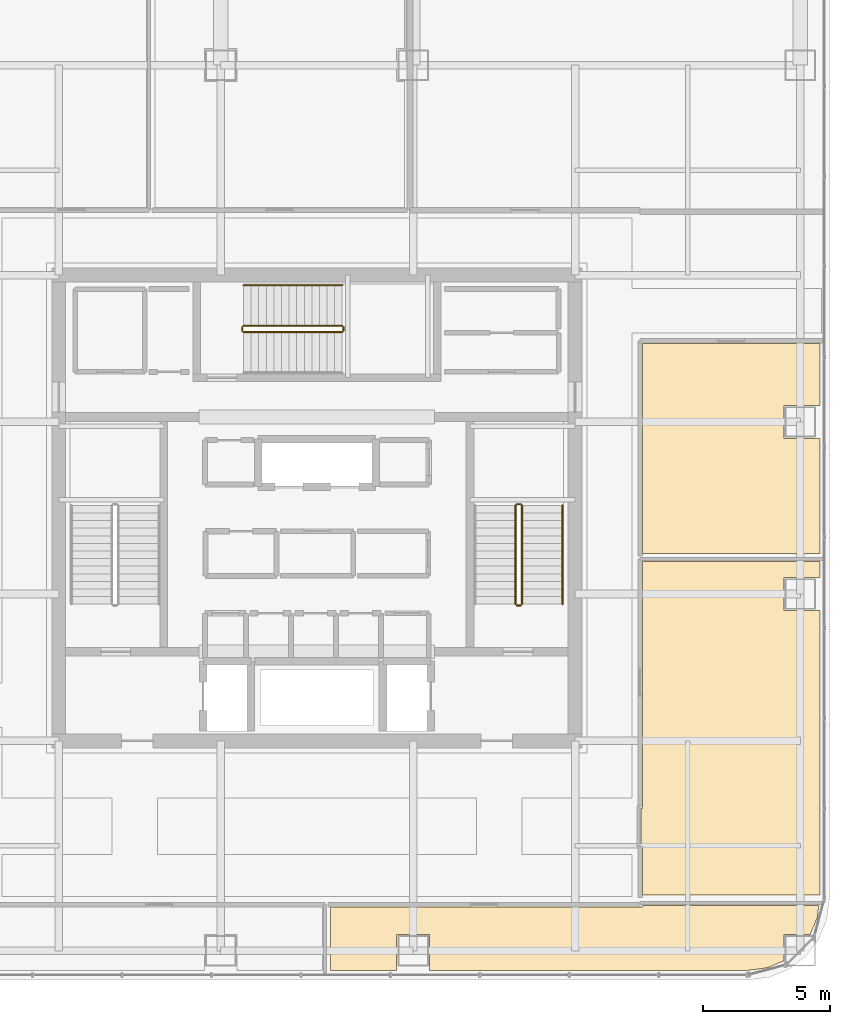
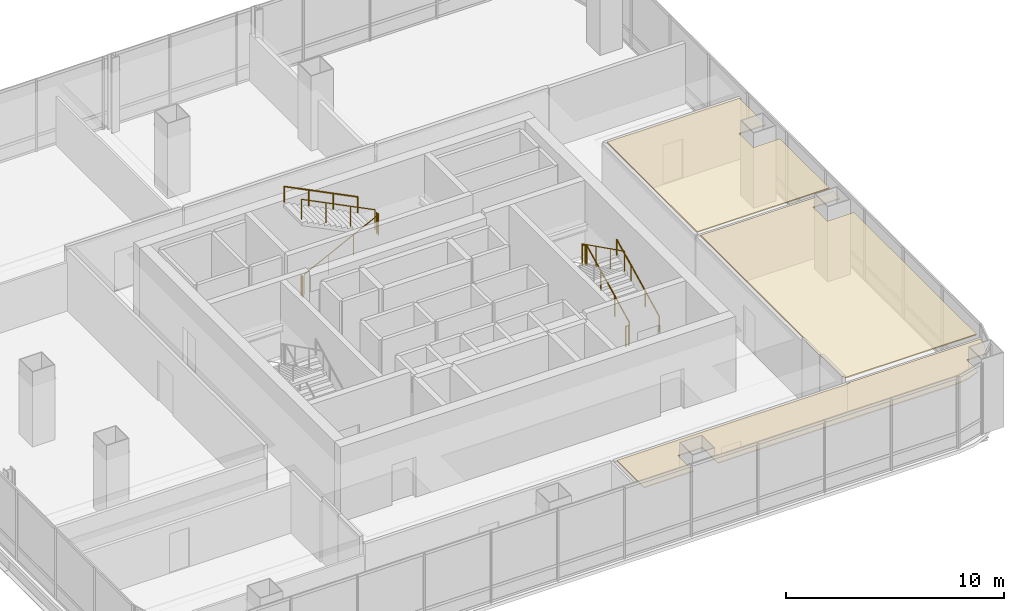
# One storey, part 40 of 41: 10 railings, 3 coverings.
"""IFC4 building model written with IfcOpenShell, lengths in metres."""

from ifc_helpers import new_model, si_unit, direction, frame, origin, origin_2d, place, context, subcontext, project, spatial, polyline, circle, outline, extrude, material, layer, layer_set, type_object, element, save


model = new_model("IFC4")

# Units and contexts
model_context = context("Model", 3, precision=1e-05, world=origin(), true_north=direction((0.0, 1.0)))
body_context = subcontext(model_context, "Body", "Model", "MODEL_VIEW")
ifc_project = project(units=[si_unit("LENGTHUNIT", "METRE"), si_unit("AREAUNIT", "SQUARE_METRE"), si_unit("VOLUMEUNIT", "CUBIC_METRE"), si_unit("PLANEANGLEUNIT", "RADIAN"), si_unit("MASSUNIT", "GRAM", prefix="KILO")], contexts=[model_context])

# Site, building, storey
site_placement = place(None, origin())
site = spatial("IfcSite", under=ifc_project, at=site_placement, CompositionType="ELEMENT")
building_placement = place(site_placement, origin())
building = spatial("IfcBuilding", under=site, at=building_placement, Name="Punatoya Terracotta Tower", CompositionType="ELEMENT")
storey_placement = place(building_placement, frame((0.0, 0.0, 288.0)))
storey = spatial("IfcBuildingStorey", under=building, at=storey_placement, Name="L68", CompositionType="ELEMENT", Elevation=288.0)

# Coverings
ifc_material_1 = material(Name="Acoustic Mineral Fibre Ceiling")
ifc_layer = layer(ifc_material_1, 0.06005859375)
ifc_layer_set = layer_set([ifc_layer], Name="Acoustic Mineral Fibre Ceiling")
covering_type = type_object("IfcCoveringType", Name="COV-CEIL-60", PredefinedType="CEILING", material=ifc_layer_set)
covering_1_placement = place(storey_placement, frame((0.0, 0.0, 3.389892578125)))
element("IfcCovering", 1, at=covering_1_placement, inside=storey, type_object=covering_type, Name="L68 Open-Plan Cartography Reference Library Acoustic Ceiling", PredefinedType="CEILING", context=body_context, shape_type="SweptSolid", body=[
    extrude(outline(polyline([(3.14990234375, -18.27001953125), (3.14990234375, -16.85009765625), (4.449951171875, -16.85009765625), (4.449951171875, -18.27001953125), (17.025146484375, -18.27001953125), (17.779052734375, -18.1708984375), (18.449951171875, -17.892822265625), (18.449951171875, -16.85009765625), (19.492919921875, -16.85009765625), (19.770751953125, -16.178955078125), (19.83251953125, -15.7099609375), (12.8701171875, -15.7099609375), (12.8701171875, -15.77001953125), (0.5380859375, -15.77001953125), (0.5380859375, -18.27001953125), (3.14990234375, -18.27001953125)])), origin(), (0.0, 0.0, 1.0), 0.06005859375),
])
covering_2_placement = place(storey_placement, frame((0.0, 0.0, 3.389892578125)))
element("IfcCovering", 2, at=covering_2_placement, inside=storey, type_object=covering_type, Name="L68 Open-Plan Environmental Research Laboratory Acoustic Ceiling", PredefinedType="CEILING", context=body_context, shape_type="SweptSolid", body=[
    extrude(outline(polyline([(12.81005859375, -13.280029296875), (12.8701171875, -13.280029296875), (12.8701171875, -15.2900390625), (19.8701171875, -15.2900390625), (19.8701171875, -4.050048828125), (18.449951171875, -4.050048828125), (18.449951171875, -2.75), (19.8701171875, -2.75), (19.8701171875, -2.110107421875), (12.8701171875, -2.110107421875), (12.8701171875, -11.8701171875), (12.81005859375, -11.8701171875), (12.81005859375, -13.280029296875)])), origin(), (0.0, 0.0, 1.0), 0.06005859375),
])
covering_3_placement = place(storey_placement, frame((0.0, 0.0, 3.389892578125)))
element("IfcCovering", 3, at=covering_3_placement, inside=storey, type_object=covering_type, Name="L68 Open-Plan Laboratory Staff Pantry Acoustic Ceiling", PredefinedType="CEILING", context=body_context, shape_type="SweptSolid", body=[
    extrude(outline(polyline([(12.8701171875, 6.5), (12.8701171875, -1.7900390625), (19.8701171875, -1.7900390625), (19.8701171875, 2.75), (18.449951171875, 2.75), (18.449951171875, 4.050048828125), (19.8701171875, 4.050048828125), (19.8701171875, 6.5), (12.8701171875, 6.5)])), origin(), (0.0, 0.0, 1.0), 0.06005859375),
])

# Railings
ifc_material_2 = material(Name="Steel S355", Category="steel")
railing_type_1 = type_object("IfcRailingType", Name="RLG-GRD-1150", PredefinedType="GUARDRAIL", material=ifc_material_2)
railing_1_placement = place(storey_placement, frame((8.10009765625, -3.800048828125, 0.14990234375)))
element("IfcRailing", 4, at=railing_1_placement, inside=storey, type_object=railing_type_1, Name="L68 ST-2 stair guard 1", PredefinedType="GUARDRAIL", context=body_context, shape_type="SweptSolid", body=[
    extrude(circle(Radius=0.02392578125, at=origin_2d()), frame((0.0, 0.0, 1.1259765625), z_axis=(0.0, 0.894415993023, 0.447235990752), x_axis=(-1.0, 0.0, 0.0)), (0.0, 0.0, 1.0), 4.360595703125),
    extrude(circle(Radius=0.02099609375, at=origin_2d()), origin(), (0.0, 0.0, 1.0), 1.101806640625),
    extrude(circle(Radius=0.02099609375, at=origin_2d()), frame((0.0, 1.300048828125, 0.650146484375)), (0.0, 0.0, 1.0), 1.101806640625),
    extrude(circle(Radius=0.02099609375, at=origin_2d()), frame((0.0, 2.60009765625, 1.300048828125)), (0.0, 0.0, 1.0), 1.101806640625),
    extrude(circle(Radius=0.02099609375, at=origin_2d()), frame((0.0, 3.900146484375, 1.9501953125)), (0.0, 0.0, 1.0), 1.101806640625),
])
railing_2_placement = place(storey_placement, frame((8.050048828125, 0.14990234375, 2.10009765625)))
element("IfcRailing", 5, at=railing_2_placement, inside=storey, type_object=railing_type_1, Name="L68 ST-2 stair guard 2", PredefinedType="GUARDRAIL", context=body_context, shape_type="SweptSolid", body=[
    extrude(circle(Radius=0.02392578125, at=origin_2d()), frame((0.0, 0.0, 1.1259765625), z_axis=(-1.0, 0.0, 0.0), x_axis=(0.0, -1.0, 0.0)), (0.0, 0.0, 1.0), 0.150146484375),
    extrude(circle(Radius=0.02099609375, at=origin_2d()), origin(), (0.0, 0.0, 1.0), 1.101806640625),
    extrude(circle(Radius=0.02099609375, at=origin_2d()), frame((-0.150146484375, 0.0, 0.0)), (0.0, 0.0, 1.0), 1.101806640625),
])
railing_3_placement = place(storey_placement, frame((7.85009765625, 0.10009765625, 2.25)))
element("IfcRailing", 6, at=railing_3_placement, inside=storey, type_object=railing_type_1, Name="L68 ST-2 stair guard 3", PredefinedType="GUARDRAIL", context=body_context, shape_type="SweptSolid", body=[
    extrude(circle(Radius=0.02392578125, at=origin_2d()), frame((0.0, 0.0, 1.1259765625), z_axis=(0.0, -0.894438388696, 0.447191199406), x_axis=(1.0, 0.0, 0.0)), (0.0, 0.0, 1.0), 4.3603515625),
    extrude(circle(Radius=0.02099609375, at=origin_2d()), origin(), (0.0, 0.0, 1.0), 1.101806640625),
    extrude(circle(Radius=0.02099609375, at=origin_2d()), frame((0.0, -1.300048828125, 0.64990234375)), (0.0, 0.0, 1.0), 1.101806640625),
    extrude(circle(Radius=0.02099609375, at=origin_2d()), frame((0.0, -2.60009765625, 1.300048828125)), (0.0, 0.0, 1.0), 1.101806640625),
    extrude(circle(Radius=0.02099609375, at=origin_2d()), frame((0.0, -3.900146484375, 1.949951171875)), (0.0, 0.0, 1.0), 1.101806640625),
])
railing_4_placement = place(storey_placement, frame((8.050048828125, -3.85009765625, 0.0)))
element("IfcRailing", 7, at=railing_4_placement, inside=storey, type_object=railing_type_1, Name="L68 ST-2 stair guard 4", PredefinedType="GUARDRAIL", context=body_context, shape_type="SweptSolid", body=[
    extrude(circle(Radius=0.02392578125, at=origin_2d()), frame((0.0, 0.0, 1.1259765625), z_axis=(-1.0, 0.0, 0.0), x_axis=(0.0, -1.0, 0.0)), (0.0, 0.0, 1.0), 0.150146484375),
    extrude(circle(Radius=0.02099609375, at=origin_2d()), origin(), (0.0, 0.0, 1.0), 1.101806640625),
    extrude(circle(Radius=0.02099609375, at=origin_2d()), frame((-0.150146484375, 0.0, 0.0)), (0.0, 0.0, 1.0), 1.101806640625),
])
railing_5_placement = place(storey_placement, frame((-2.89990234375, 6.949951171875, 0.14990234375)))
element("IfcRailing", 8, at=railing_5_placement, inside=storey, type_object=railing_type_1, Name="L68 ST-3 stair guard 1", PredefinedType="GUARDRAIL", context=body_context, shape_type="SweptSolid", body=[
    extrude(circle(Radius=0.02392578125, at=origin_2d()), frame((0.0, 0.0, 1.1259765625), z_axis=(0.894404793364, 0.0, 0.447258387967), x_axis=(0.0, 1.0, 0.0)), (0.0, 0.0, 1.0), 4.3603515625),
    extrude(circle(Radius=0.02099609375, at=origin_2d()), origin(), (0.0, 0.0, 1.0), 1.101806640625),
    extrude(circle(Radius=0.02099609375, at=origin_2d()), frame((1.300048828125, 0.0, 0.650146484375)), (0.0, 0.0, 1.0), 1.101806640625),
    extrude(circle(Radius=0.02099609375, at=origin_2d()), frame((2.599853515625, 0.0, 1.300048828125)), (0.0, 0.0, 1.0), 1.101806640625),
    extrude(circle(Radius=0.02099609375, at=origin_2d()), frame((3.89990234375, 0.0, 1.9501953125)), (0.0, 0.0, 1.0), 1.101806640625),
])
railing_6_placement = place(storey_placement, frame((1.050048828125, 7.0, 2.10009765625)))
element("IfcRailing", 9, at=railing_6_placement, inside=storey, type_object=railing_type_1, Name="L68 ST-3 stair guard 2", PredefinedType="GUARDRAIL", context=body_context, shape_type="SweptSolid", body=[
    extrude(circle(Radius=0.02392578125, at=origin_2d()), frame((0.0, 0.0, 1.1259765625), z_axis=(0.0, 1.0, 0.0), x_axis=(-1.0, 0.0, 0.0)), (0.0, 0.0, 1.0), 0.14990234375),
    extrude(circle(Radius=0.02099609375, at=origin_2d()), origin(), (0.0, 0.0, 1.0), 1.101806640625),
    extrude(circle(Radius=0.02099609375, at=origin_2d()), frame((0.0, 0.14990234375, 0.0)), (0.0, 0.0, 1.0), 1.101806640625),
])
railing_7_placement = place(storey_placement, frame((1.0, 7.199951171875, 2.25)))
element("IfcRailing", 10, at=railing_7_placement, inside=storey, type_object=railing_type_1, Name="L68 ST-3 stair guard 3", PredefinedType="GUARDRAIL", context=body_context, shape_type="SweptSolid", body=[
    extrude(circle(Radius=0.02392578125, at=origin_2d()), frame((0.0, 0.0, 1.1259765625), z_axis=(-0.894427191, 0.0, 0.4472135955), x_axis=(0.0, -1.0, 0.0)), (0.0, 0.0, 1.0), 4.360107421875),
    extrude(circle(Radius=0.02099609375, at=origin_2d()), origin(), (0.0, 0.0, 1.0), 1.101806640625),
    extrude(circle(Radius=0.02099609375, at=origin_2d()), frame((-1.300048828125, 0.0, 0.64990234375)), (0.0, 0.0, 1.0), 1.101806640625),
    extrude(circle(Radius=0.02099609375, at=origin_2d()), frame((-2.599853515625, 0.0, 1.300048828125)), (0.0, 0.0, 1.0), 1.101806640625),
    extrude(circle(Radius=0.02099609375, at=origin_2d()), frame((-3.89990234375, 0.0, 1.949951171875)), (0.0, 0.0, 1.0), 1.101806640625),
])
railing_8_placement = place(storey_placement, frame((-2.949951171875, 7.0, 0.0)))
element("IfcRailing", 11, at=railing_8_placement, inside=storey, type_object=railing_type_1, Name="L68 ST-3 stair guard 4", PredefinedType="GUARDRAIL", context=body_context, shape_type="SweptSolid", body=[
    extrude(circle(Radius=0.02392578125, at=origin_2d()), frame((0.0, 0.0, 1.1259765625), z_axis=(0.0, 1.0, 0.0), x_axis=(-1.0, 0.0, 0.0)), (0.0, 0.0, 1.0), 0.14990234375),
    extrude(circle(Radius=0.02099609375, at=origin_2d()), origin(), (0.0, 0.0, 1.0), 1.101806640625),
    extrude(circle(Radius=0.02099609375, at=origin_2d()), frame((0.0, 0.14990234375, 0.0)), (0.0, 0.0, 1.0), 1.101806640625),
])
railing_type_2 = type_object("IfcRailingType", Name="RLG-HND-900", PredefinedType="HANDRAIL", material=ifc_material_2)
railing_9_placement = place(storey_placement, frame((9.699951171875, -3.800048828125, 0.14990234375)))
element("IfcRailing", 12, at=railing_9_placement, inside=storey, type_object=railing_type_2, Name="L68 ST-2 stair handrail 1", PredefinedType="HANDRAIL", context=body_context, shape_type="SweptSolid", body=[
    extrude(circle(Radius=0.02392578125, at=origin_2d()), frame((0.0, 0.0, 0.8759765625), z_axis=(0.0, 0.894415993023, 0.447235990752), x_axis=(-1.0, 0.0, 0.0)), (0.0, 0.0, 1.0), 4.360595703125),
    extrude(circle(Radius=0.02099609375, at=origin_2d()), origin(), (0.0, 0.0, 1.0), 0.851806640625),
    extrude(circle(Radius=0.02099609375, at=origin_2d()), frame((0.0, 1.300048828125, 0.650146484375)), (0.0, 0.0, 1.0), 0.851806640625),
    extrude(circle(Radius=0.02099609375, at=origin_2d()), frame((0.0, 2.60009765625, 1.300048828125)), (0.0, 0.0, 1.0), 0.851806640625),
    extrude(circle(Radius=0.02099609375, at=origin_2d()), frame((0.0, 3.900146484375, 1.9501953125)), (0.0, 0.0, 1.0), 0.851806640625),
])
railing_10_placement = place(storey_placement, frame((1.0, 8.800048828125, 2.25)))
element("IfcRailing", 13, at=railing_10_placement, inside=storey, type_object=railing_type_2, Name="L68 ST-3 stair handrail 2", PredefinedType="HANDRAIL", context=body_context, shape_type="SweptSolid", body=[
    extrude(circle(Radius=0.02392578125, at=origin_2d()), frame((0.0, 0.0, 0.8759765625), z_axis=(-0.894427191, 0.0, 0.4472135955), x_axis=(0.0, -1.0, 0.0)), (0.0, 0.0, 1.0), 4.360107421875),
    extrude(circle(Radius=0.02099609375, at=origin_2d()), origin(), (0.0, 0.0, 1.0), 0.851806640625),
    extrude(circle(Radius=0.02099609375, at=origin_2d()), frame((-1.300048828125, 0.0, 0.64990234375)), (0.0, 0.0, 1.0), 0.851806640625),
    extrude(circle(Radius=0.02099609375, at=origin_2d()), frame((-2.599853515625, 0.0, 1.300048828125)), (0.0, 0.0, 1.0), 0.851806640625),
    extrude(circle(Radius=0.02099609375, at=origin_2d()), frame((-3.89990234375, 0.0, 1.949951171875)), (0.0, 0.0, 1.0), 0.851806640625),
])

save(model, "model.ifc")
